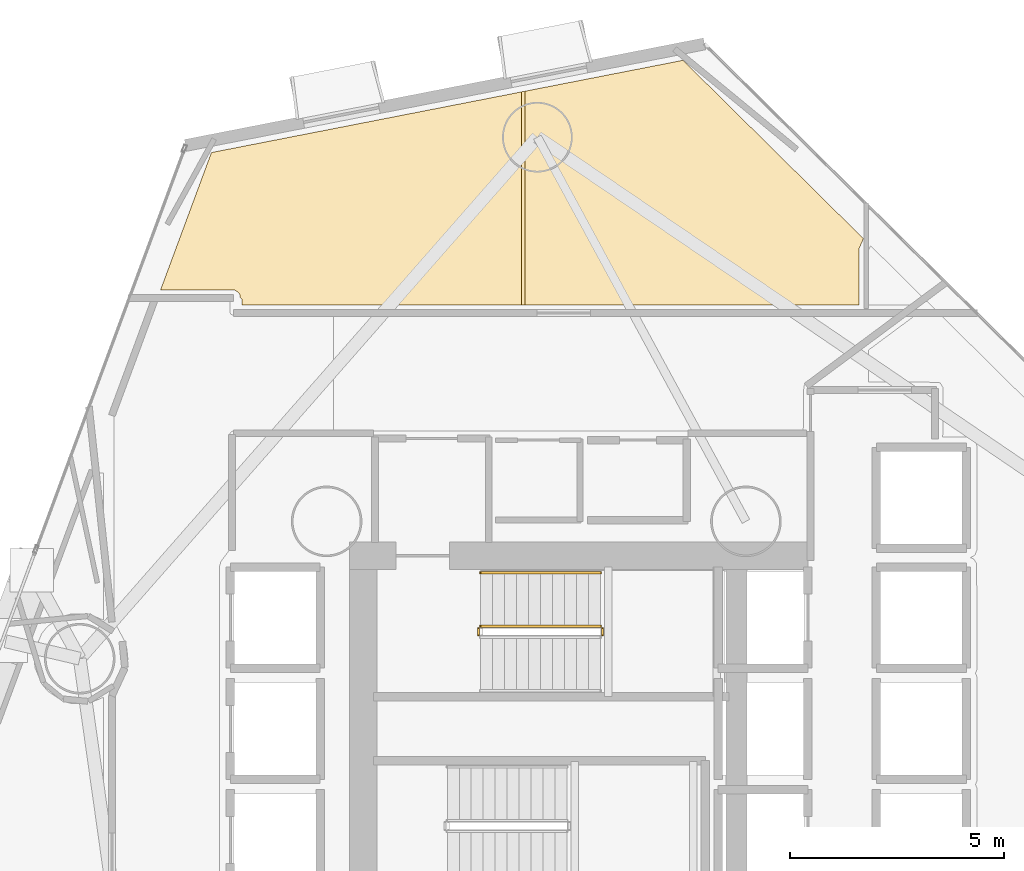
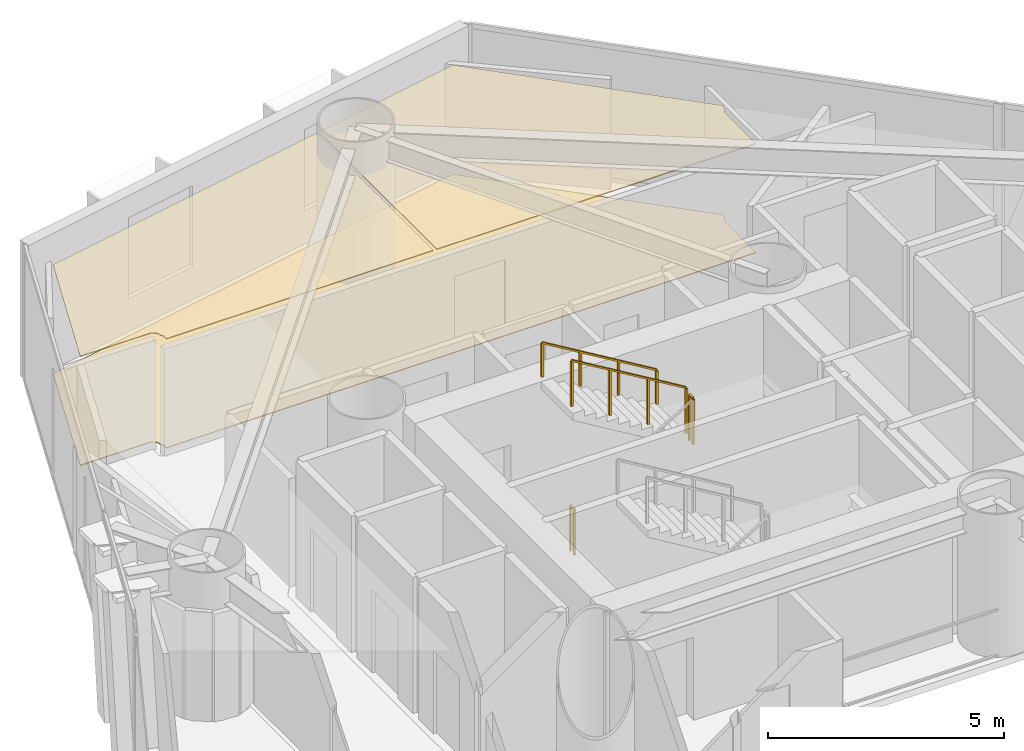
# One storey, part 23 of 24: 4 railings, 3 coverings.
"""IFC4 building model written with IfcOpenShell, lengths in metres."""

from ifc_helpers import new_model, si_unit, direction, frame, origin, origin_2d, place, context, subcontext, project, spatial, polyline, rectangle, outline, extrude, material, layer, layer_set, type_object, element, save


model = new_model("IFC4")

# Units and contexts
model_context = context("Model", 3, precision=1e-05, world=origin(), true_north=direction((0.0, 1.0)))
body_context = subcontext(model_context, "Body", "Model", "MODEL_VIEW")
ifc_project = project(units=[si_unit("LENGTHUNIT", "METRE"), si_unit("AREAUNIT", "SQUARE_METRE"), si_unit("VOLUMEUNIT", "CUBIC_METRE"), si_unit("PLANEANGLEUNIT", "RADIAN"), si_unit("MASSUNIT", "GRAM", prefix="KILO")], contexts=[model_context])

# Site, building, storey
site_placement = place(None, origin())
site = spatial("IfcSite", under=ifc_project, at=site_placement, CompositionType="ELEMENT")
building_placement = place(site_placement, origin())
building = spatial("IfcBuilding", under=site, at=building_placement, Name="Qianvela Tower", CompositionType="ELEMENT")
storey_placement = place(building_placement, frame((0.0, 0.0, 59.89990234375)))
storey = spatial("IfcBuildingStorey", under=building, at=storey_placement, Name="L14", CompositionType="ELEMENT", Elevation=59.89990234375)

# Coverings
ifc_material_1 = material(Name="Perforated Mineral Acoustic Ceiling Tile")
ifc_layer_1 = layer(ifc_material_1, 0.02490234375)
ifc_layer_set_1 = layer_set([ifc_layer_1], Name="Perforated Mineral Acoustic Ceiling Tile")
covering_type_1 = type_object("IfcCoveringType", Name="COV-CEIL-ACOUSTIC-25", PredefinedType="CEILING", material=ifc_layer_set_1)
covering_1_placement = place(storey_placement, frame((0.0, 0.0, 2.815185546875)))
element("IfcCovering", 1, at=covering_1_placement, inside=storey, type_object=covering_type_1, Name="L14 Acoustic Ceiling Bay 1 Social Sitting Lounge L14-04", PredefinedType="CEILING", context=body_context, shape_type="SweptSolid", body=[
    extrude(outline(polyline([(26.572021484375, 38.847900390625), (26.56982421875, 38.855712890625), (26.56689453125, 38.86328125), (26.563232421875, 38.87060546875), (26.55859375, 38.87744140625), (26.5537109375, 38.8837890625), (26.5478515625, 38.8896484375), (26.54150390625, 38.89501953125), (26.4755859375, 38.94384765625), (26.468505859375, 38.948486328125), (26.4609375, 38.952392578125), (26.452880859375, 38.95556640625), (26.444580078125, 38.957763671875), (26.436279296875, 38.959228515625), (26.427978515625, 38.959716796875), (24.718505859375, 38.9599609375), (25.90771484375, 42.1708984375), (33.156494140625, 43.588623046875), (33.156494140625, 38.610107421875), (26.6220703125, 38.610107421875), (26.6220703125, 38.71142578125), (26.62158203125, 38.71923828125), (26.62060546875, 38.72705078125), (26.61865234375, 38.734619140625), (26.615966796875, 38.7421875), (26.612548828125, 38.749267578125), (26.608642578125, 38.755859375), (26.60400390625, 38.76220703125), (26.5986328125, 38.76806640625), (26.593017578125, 38.773193359375), (26.586669921875, 38.77783203125), (26.580078125, 38.78173828125), (26.573486328125, 38.83984375), (26.572021484375, 38.847900390625)])), origin(), (0.0, 0.0, 1.0), 0.02490234375),
])
covering_2_placement = place(storey_placement, frame((0.0, 0.0, 2.815185546875)))
element("IfcCovering", 2, at=covering_2_placement, inside=storey, type_object=covering_type_1, Name="L14 Acoustic Ceiling Bay 2 Social Sitting Lounge L14-04", PredefinedType="CEILING", context=body_context, shape_type="SweptSolid", body=[
    extrude(outline(polyline([(36.929931640625, 44.32666015625), (41.146484375, 40.157958984375), (41.048095703125, 39.935791015625), (41.045166015625, 39.927978515625), (41.04296875, 39.919921875), (41.04150390625, 39.911865234375), (41.041259765625, 39.903564453125), (41.0400390625, 38.610107421875), (33.236328125, 38.610107421875), (33.236328125, 43.604248046875), (36.929931640625, 44.32666015625)])), origin(), (0.0, 0.0, 1.0), 0.02490234375),
])
ifc_material_2 = material(Name="Engineered Acoustic Oak Timber Flooring", Category="wood")
ifc_layer_2 = layer(ifc_material_2, 0.02001953125)
ifc_layer_set_2 = layer_set([ifc_layer_2], Name="Engineered Acoustic Oak Timber Flooring")
covering_type_2 = type_object("IfcCoveringType", Name="COV-FLOOR-OAK-20", PredefinedType="FLOORING", material=ifc_layer_set_2)
covering_3_placement = place(storey_placement, origin())
element("IfcCovering", 3, at=covering_3_placement, inside=storey, type_object=covering_type_2, Name="L14 Finish Flooring Social Sitting Lounge L14-04", PredefinedType="FLOORING", context=body_context, shape_type="SweptSolid", body=[
    extrude(outline(polyline([(26.573486328125, 38.83984375), (26.572021484375, 38.847900390625), (26.56982421875, 38.855712890625), (26.56689453125, 38.86328125), (26.563232421875, 38.87060546875), (26.55859375, 38.87744140625), (26.5537109375, 38.8837890625), (26.5478515625, 38.8896484375), (26.54150390625, 38.89501953125), (26.4755859375, 38.94384765625), (26.468505859375, 38.948486328125), (26.4609375, 38.952392578125), (26.452880859375, 38.95556640625), (26.444580078125, 38.957763671875), (26.436279296875, 38.959228515625), (26.427978515625, 38.959716796875), (24.718505859375, 38.9599609375), (25.90771484375, 42.1708984375), (36.929931640625, 44.32666015625), (41.146484375, 40.157958984375), (41.048095703125, 39.935791015625), (41.045166015625, 39.927978515625), (41.04296875, 39.919921875), (41.04150390625, 39.911865234375), (41.041259765625, 39.903564453125), (41.0400390625, 38.610107421875), (26.6220703125, 38.610107421875), (26.6220703125, 38.71142578125), (26.62158203125, 38.71923828125), (26.62060546875, 38.72705078125), (26.61865234375, 38.734619140625), (26.615966796875, 38.7421875), (26.612548828125, 38.749267578125), (26.608642578125, 38.755859375), (26.60400390625, 38.76220703125), (26.5986328125, 38.76806640625), (26.593017578125, 38.773193359375), (26.586669921875, 38.77783203125), (26.580078125, 38.78173828125), (26.573486328125, 38.83984375)])), origin(), (0.0, 0.0, 1.0), 0.02001953125),
])

# Railings
ifc_material_3 = material(Name="Painted Tubular Steel Q355B", Category="steel")
railing_type_1 = type_object("IfcRailingType", Name="RL-STAIR-GUARD-1200", PredefinedType="GUARDRAIL", material=ifc_material_3)
railing_1_placement = place(storey_placement, frame((35.050048828125, 30.889892578125, 1.85009765625)))
element("IfcRailing", 4, at=railing_1_placement, inside=storey, type_object=railing_type_1, Name="L14 ST-1 stair guard 2", PredefinedType="GUARDRAIL", context=body_context, shape_type="SweptSolid", body=[
    extrude(rectangle(XDim=0.050048828125, YDim=0.0400390625, at=origin_2d()), frame((0.0, 0.0, 1.179931640625), z_axis=(0.0, 1.0, 0.0), x_axis=(-1.0, 0.0, 0.0)), (0.0, 0.0, 1.0), 0.16015625),
    extrude(rectangle(XDim=0.050048828125, YDim=0.050048828125, at=origin_2d()), origin(), (0.0, 0.0, 1.0), 1.159912109375),
    extrude(rectangle(XDim=0.050048828125, YDim=0.050048828125, at=origin_2d()), frame((0.0, 0.16015625, 0.0)), (0.0, 0.0, 1.0), 1.159912109375),
])
railing_2_placement = place(storey_placement, frame((35.0, 31.10009765625, 2.018310546875)))
element("IfcRailing", 5, at=railing_2_placement, inside=storey, type_object=railing_type_1, Name="L14 ST-1 stair guard 3", PredefinedType="GUARDRAIL", context=body_context, shape_type="SweptSolid", body=[
    extrude(rectangle(XDim=0.050048828125, YDim=0.0400390625, at=origin_2d()), frame((0.0, 0.0, 1.179931640625), z_axis=(-0.857242210791, 0.0, 0.514913383045), x_axis=(0.0, -1.0, 0.0)), (0.0, 0.0, 1.0), 3.266357421875),
    extrude(rectangle(XDim=0.050048828125, YDim=0.050048828125, at=origin_2d()), origin(), (0.0, 0.0, 1.0), 1.159912109375),
    extrude(rectangle(XDim=0.050048828125, YDim=0.050048828125, at=origin_2d()), frame((-0.933349609375, 0.0, 0.560546875)), (0.0, 0.0, 1.0), 1.159912109375),
    extrude(rectangle(XDim=0.050048828125, YDim=0.050048828125, at=origin_2d()), frame((-1.86669921875, 0.0, 1.121337890625)), (0.0, 0.0, 1.0), 1.159912109375),
    extrude(rectangle(XDim=0.050048828125, YDim=0.050048828125, at=origin_2d()), frame((-2.800048828125, 0.0, 1.681884765625)), (0.0, 0.0, 1.0), 1.159912109375),
])
railing_3_placement = place(storey_placement, frame((32.14990234375, 30.889892578125, 0.0)))
element("IfcRailing", 6, at=railing_3_placement, inside=storey, type_object=railing_type_1, Name="L14 ST-1 stair guard 4", PredefinedType="GUARDRAIL", context=body_context, shape_type="SweptSolid", body=[
    extrude(rectangle(XDim=0.050048828125, YDim=0.0400390625, at=origin_2d()), frame((0.0, 0.0, 1.179931640625), z_axis=(0.0, 1.0, 0.0), x_axis=(-1.0, 0.0, 0.0)), (0.0, 0.0, 1.0), 0.16015625),
    extrude(rectangle(XDim=0.050048828125, YDim=0.050048828125, at=origin_2d()), origin(), (0.0, 0.0, 1.0), 1.159912109375),
    extrude(rectangle(XDim=0.050048828125, YDim=0.050048828125, at=origin_2d()), frame((0.0, 0.16015625, 0.0)), (0.0, 0.0, 1.0), 1.159912109375),
])
ifc_material_4 = material(Name="Brushed Stainless Steel 304", Category="steel")
railing_type_2 = type_object("IfcRailingType", Name="RL-STAIR-HANDRAIL-900", PredefinedType="HANDRAIL", material=ifc_material_4)
railing_4_placement = place(storey_placement, frame((35.0, 32.35009765625, 2.018310546875)))
element("IfcRailing", 7, at=railing_4_placement, inside=storey, type_object=railing_type_2, Name="L14 ST-1 stair handrail 2", PredefinedType="HANDRAIL", context=body_context, shape_type="SweptSolid", body=[
    extrude(rectangle(XDim=0.050048828125, YDim=0.0400390625, at=origin_2d()), frame((0.0, 0.0, 0.8798828125), z_axis=(-0.857242210791, 0.0, 0.514913383045), x_axis=(0.0, -1.0, 0.0)), (0.0, 0.0, 1.0), 3.266357421875),
    extrude(rectangle(XDim=0.050048828125, YDim=0.050048828125, at=origin_2d()), origin(), (0.0, 0.0, 1.0), 0.85986328125),
    extrude(rectangle(XDim=0.050048828125, YDim=0.050048828125, at=origin_2d()), frame((-0.933349609375, 0.0, 0.560546875)), (0.0, 0.0, 1.0), 0.85986328125),
    extrude(rectangle(XDim=0.050048828125, YDim=0.050048828125, at=origin_2d()), frame((-1.86669921875, 0.0, 1.121337890625)), (0.0, 0.0, 1.0), 0.85986328125),
    extrude(rectangle(XDim=0.050048828125, YDim=0.050048828125, at=origin_2d()), frame((-2.800048828125, 0.0, 1.681884765625)), (0.0, 0.0, 1.0), 0.85986328125),
])

save(model, "model.ifc")
